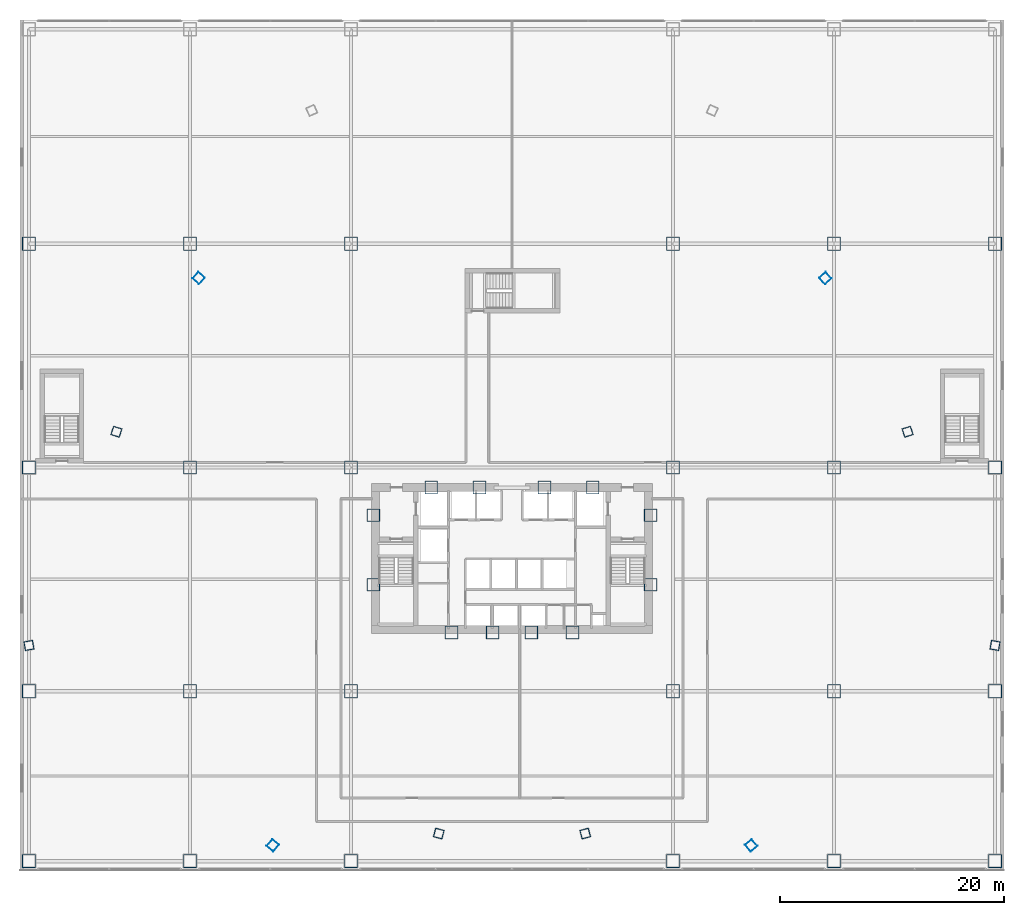
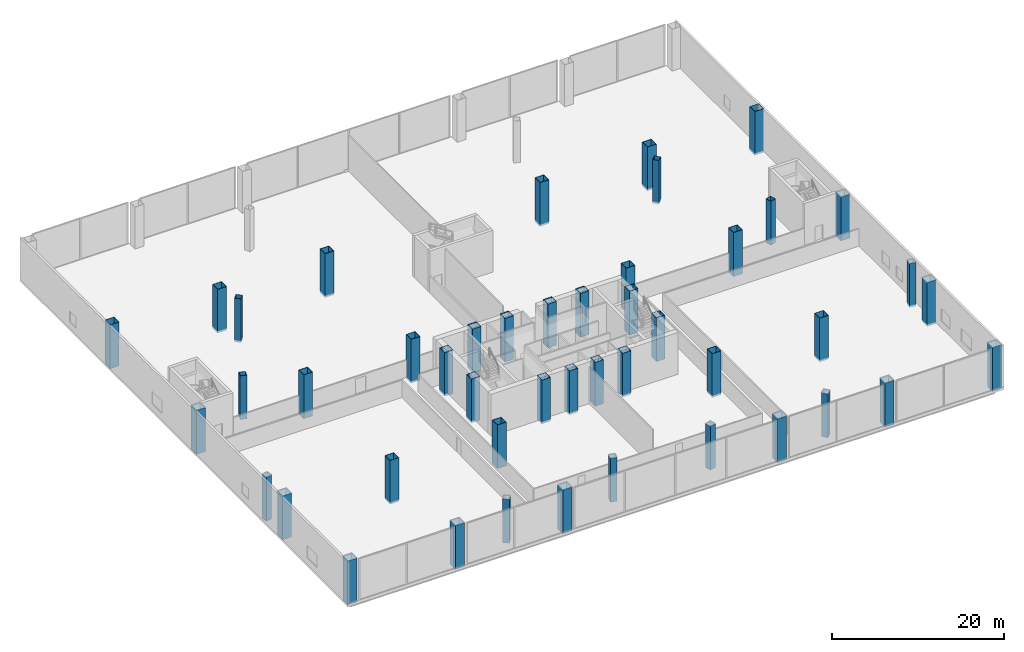
# One storey, part 1 of 41: 46 columns.
"""IFC4 building model written with IfcOpenShell, lengths in metres."""

import ifcopenshell
import ifcopenshell.guid

model = None  # the IFC model being written
_history = None  # IfcOwnerHistory: only IFC2X3 demands one
_inside = {}  # id of a spatial element -> (the spatial element, [elements in it])
_under = {}  # id of a project, library or spatial element -> (it, [spatial elements below it])
_declared = {}  # id of a project -> (the project, [libraries it declares])
_typed = {}  # id of a type object -> (the type object, [elements of that type])
_made_of = {}  # id of a material, layer set ... -> (it, [elements and type objects made of it])


def new_model(schema):
    """Start an empty IFC model of exactly this schema.

    Asked for "IFC4X3", IfcOpenShell would pick the latest addendum, in which some entities
    have other attributes; the version numbers below select the first issue.
    IFC2X3 requires an IfcOwnerHistory on every rooted entity: one is made here for all.
    """
    global model, _history
    if schema == "IFC4X3":
        model = ifcopenshell.file(schema_version=(4, 3, 0, 0))
    else:
        model = ifcopenshell.file(schema=schema)
    _inside.clear()
    _under.clear()
    _declared.clear()
    _typed.clear()
    _made_of.clear()
    _history = None
    if model.schema == "IFC2X3":
        org = make("IfcOrganization", Name="unknown")
        user = make(
            "IfcPersonAndOrganization",
            ThePerson=make("IfcPerson", FamilyName="unknown"),
            TheOrganization=org,
        )
        app = make(
            "IfcApplication",
            ApplicationDeveloper=org,
            Version="unknown",
            ApplicationFullName="unknown",
            ApplicationIdentifier="unknown",
        )
        _history = make(
            "IfcOwnerHistory",
            OwningUser=user,
            OwningApplication=app,
            ChangeAction="ADDED",
            CreationDate=0,
        )
    return model


def make(cls, **values):
    """One entity of the class cls with the attributes given. An attribute that is None is left unset."""
    return model.create_entity(
        cls, **{name: value for name, value in values.items() if value is not None}
    )


def rooted(cls, **values):
    """An entity with a GlobalId (a new one), such as an element, a storey or a relation."""
    return make(cls, GlobalId=ifcopenshell.guid.new(), OwnerHistory=_history, **values)


def si_unit(unit_type, name, prefix=None):
    """IfcSIUnit, for example si_unit("LENGTHUNIT", "METRE", prefix="MILLI")."""
    return make("IfcSIUnit", UnitType=unit_type, Prefix=prefix, Name=name)


def assignment(units):
    """IfcUnitAssignment: the units of a project."""
    return None if units is None else make("IfcUnitAssignment", Units=units)


def point(xyz):
    """IfcCartesianPoint."""
    return None if xyz is None else make("IfcCartesianPoint", Coordinates=xyz)


def direction(xyz):
    """IfcDirection."""
    return None if xyz is None else make("IfcDirection", DirectionRatios=xyz)


def frame(location, z_axis=None, x_axis=None):
    """IfcAxis2Placement3D, a coordinate frame: its origin and axes. An axis left out is left unset."""
    return make(
        "IfcAxis2Placement3D",
        Location=point(location),
        Axis=direction(z_axis),
        RefDirection=direction(x_axis),
    )


def frame_2d(location, x_axis=None):
    """IfcAxis2Placement2D, a coordinate frame in the plane: its origin and x axis."""
    return make(
        "IfcAxis2Placement2D", Location=point(location), RefDirection=direction(x_axis)
    )


def origin():
    """The frame at (0, 0, 0) with its axes left unset."""
    return frame((0.0, 0.0, 0.0))


def origin_2d():
    """The frame at (0, 0) in the plane with its x axis left unset."""
    return frame_2d((0.0, 0.0))


def place(relative_to, where):
    """IfcLocalPlacement: puts the frame where relative to a parent placement (None: the world)."""
    return make(
        "IfcLocalPlacement", PlacementRelTo=relative_to, RelativePlacement=where
    )


def context(
    kind, dimensions, precision=None, world=None, true_north=None, identifier=None
):
    """IfcGeometricRepresentationContext, for example the 3D "Model" context."""
    return make(
        "IfcGeometricRepresentationContext",
        ContextIdentifier=identifier,
        ContextType=kind,
        CoordinateSpaceDimension=dimensions,
        Precision=precision,
        WorldCoordinateSystem=world,
        TrueNorth=true_north,
    )


def subcontext(parent, identifier, kind, view, scale=None):
    """IfcGeometricRepresentationSubContext, for example "Body" below "Model"."""
    return make(
        "IfcGeometricRepresentationSubContext",
        ContextIdentifier=identifier,
        ContextType=kind,
        ParentContext=parent,
        TargetScale=scale,
        TargetView=view,
    )


def project(units=None, contexts=None):
    """IfcProject with its units and contexts."""
    return rooted(
        "IfcProject",
        Name="project",
        RepresentationContexts=contexts,
        UnitsInContext=assignment(units),
    )


def spatial(cls, under=None, at=None, **own):
    """A site, building, storey or space (cls), placed at a placement, below another one or the project."""
    s = rooted(cls, ObjectPlacement=at, **own)
    if under is not None:
        _under.setdefault(under.id(), (under, []))[1].append(s)
    return s


def profile(cls, at=None, kind="AREA", **sizes):
    """A parametric profile (cls). Its sizes go by their IFC names, for example OverallWidth=200.0."""
    return make(cls, ProfileType=kind, Position=at, **sizes)


def hollow_rectangle(**sizes):
    """IfcRectangleHollowProfileDef."""
    return profile("IfcRectangleHollowProfileDef", **sizes)


def extrude(swept, where, along, depth):
    """IfcExtrudedAreaSolid: the profile swept, set in the frame where, extruded along a direction by depth."""
    return make(
        "IfcExtrudedAreaSolid",
        SweptArea=swept,
        Position=where,
        ExtrudedDirection=direction(along),
        Depth=depth,
    )


def shape(context_of_items, identifier, shape_type, items):
    """IfcShapeRepresentation: the items that make up one representation, for example the "Body"."""
    return make(
        "IfcShapeRepresentation",
        ContextOfItems=context_of_items,
        RepresentationIdentifier=identifier,
        RepresentationType=shape_type,
        Items=items,
    )


def source(mapping_origin, context_of_items, identifier, shape_type, items):
    """IfcRepresentationMap: a shape defined once, which mapped items show again and again."""
    return make(
        "IfcRepresentationMap",
        MappingOrigin=mapping_origin,
        MappedRepresentation=shape(context_of_items, identifier, shape_type, items),
    )


def transform(
    local_origin,
    x_axis=None,
    y_axis=None,
    z_axis=None,
    scale=None,
    scale2=None,
    scale3=None,
    uniform=True,
):
    """IfcCartesianTransformationOperator3D, or its non-uniform kind. x_axis, y_axis, z_axis: its Axis1, 2, 3."""
    if uniform:
        return make(
            "IfcCartesianTransformationOperator3D",
            Axis1=direction(x_axis),
            Axis2=direction(y_axis),
            LocalOrigin=point(local_origin),
            Scale=scale,
            Axis3=direction(z_axis),
        )
    return make(
        "IfcCartesianTransformationOperator3DnonUniform",
        Axis1=direction(x_axis),
        Axis2=direction(y_axis),
        LocalOrigin=point(local_origin),
        Scale=scale,
        Axis3=direction(z_axis),
        Scale2=scale2,
        Scale3=scale3,
    )


def mapped(mapping_source, mapping_target):
    """IfcMappedItem: shows the shape of a source again, moved by a transform."""
    return make(
        "IfcMappedItem", MappingSource=mapping_source, MappingTarget=mapping_target
    )


def material(Name=None, Category=None):
    """IfcMaterial."""
    return make("IfcMaterial", Name=Name, Category=Category)


def material_profile(
    of_material, cross_section, Name=None, Category=None, Priority=None
):
    """IfcMaterialProfile: a cross section and its material."""
    return make(
        "IfcMaterialProfile",
        Name=Name,
        Material=of_material,
        Profile=cross_section,
        Priority=Priority,
        Category=Category,
    )


def profile_set(profiles, Name=None, composite=None):
    """IfcMaterialProfileSet."""
    return make(
        "IfcMaterialProfileSet",
        Name=Name,
        MaterialProfiles=profiles,
        CompositeProfile=composite,
    )


def made_of(thing, what):
    """Note that an element or type object is made of a material, layer set ...; save() writes the relation."""
    if what is not None:
        _made_of.setdefault(what.id(), (what, []))[1].append(thing)
    return thing


def type_object(cls, material=None, **own):
    """A type object (cls), such as IfcWallType, which elements share."""
    return made_of(rooted(cls, **own), material)


def element(
    cls,
    number,
    at=None,
    inside=None,
    cuts=None,
    type_object=None,
    material=None,
    context=None,
    identifier="Body",
    shape_type=None,
    held_by="IfcProductDefinitionShape",
    body=None,
    shapes=None,
    **own,
):
    """One element of the class cls, such as IfcWall. Its Tag is "e" and its number.

    at: its placement. inside: the storey or other place that contains it. cuts: it is an
    opening in that element (IfcRelVoidsElement). A single representation is given by context,
    identifier, shape_type and body (its items); several are given by shapes. held_by: the class
    of the entity that holds the representations. save() writes the other relations.
    """
    e = rooted(cls, Tag="e%d" % number, ObjectPlacement=at, **own)
    if body is not None:
        shapes = [shape(context, identifier, shape_type, body)]
    if shapes is not None:
        e.Representation = make(held_by, Representations=shapes)
    if inside is not None:
        _inside.setdefault(inside.id(), (inside, []))[1].append(e)
    if cuts is not None:
        rooted(
            "IfcRelVoidsElement", RelatingBuildingElement=cuts, RelatedOpeningElement=e
        )
    if type_object is not None:
        _typed.setdefault(type_object.id(), (type_object, []))[1].append(e)
    return made_of(e, material)


def aggregate(whole, parts):
    """IfcRelAggregates: a whole, such as a stair, and the parts it consists of."""
    return rooted("IfcRelAggregates", RelatingObject=whole, RelatedObjects=parts)


def save(model, path):
    """Write the relations noted so far, then the file.

    IfcRelAggregates (storeys below a building ...), IfcRelContainedInSpatialStructure (elements
    in a storey), IfcRelDefinesByType, IfcRelAssociatesMaterial and IfcRelDeclares: one each for
    every whole, place, type object, material and project.
    """
    for whole, parts in _under.values():
        aggregate(whole, parts)
    for where, things in _inside.values():
        rooted(
            "IfcRelContainedInSpatialStructure",
            RelatedElements=things,
            RelatingStructure=where,
        )
    for kind, things in _typed.values():
        rooted("IfcRelDefinesByType", RelatedObjects=things, RelatingType=kind)
    for what, things in _made_of.values():
        rooted("IfcRelAssociatesMaterial", RelatedObjects=things, RelatingMaterial=what)
    for by, libraries in _declared.values():
        rooted("IfcRelDeclares", RelatingContext=by, RelatedDefinitions=libraries)
    model.write(path)


model = new_model("IFC4")

# Units and contexts
model_context = context("Model", 3, precision=1e-05, world=origin(), true_north=direction((0.0, 1.0)))
body_context = subcontext(model_context, "Body", "Model", "MODEL_VIEW")
ifc_project = project(units=[si_unit("LENGTHUNIT", "METRE"), si_unit("AREAUNIT", "SQUARE_METRE"), si_unit("VOLUMEUNIT", "CUBIC_METRE"), si_unit("PLANEANGLEUNIT", "RADIAN"), si_unit("MASSUNIT", "GRAM", prefix="KILO"), si_unit("THERMODYNAMICTEMPERATUREUNIT", "KELVIN"), si_unit("POWERUNIT", "WATT")], contexts=[model_context])

# Site, building, storey
site_placement = place(None, origin())
site = spatial("IfcSite", under=ifc_project, at=site_placement, CompositionType="ELEMENT")
building_placement = place(site_placement, origin())
building = spatial("IfcBuilding", under=site, at=building_placement, Name="Yunzhuo Pagoda Commons", CompositionType="ELEMENT")
storey_placement = place(building_placement, frame((0.0, 0.0, 19.199951171875)))
storey = spatial("IfcBuildingStorey", under=building, at=storey_placement, Name="L05", CompositionType="ELEMENT", Elevation=19.199951171875)

# Columns
ifc_material = material(Name="Structural steel Q420B", Category="steel")
ifc_material_profile_1 = material_profile(ifc_material, hollow_rectangle(XDim=1.14990234375, YDim=1.14990234375, WallThickness=0.048095703125, at=origin_2d()), Name="Structural steel Q420B")
ifc_profile_set_1 = profile_set([ifc_material_profile_1], Name="Structural steel Q420B")
column_type_1 = type_object("IfcColumnType", Name="C-COR Column BOX 1150x1150x48", PredefinedType="COLUMN", material=ifc_profile_set_1)
shared_shape_1 = source(origin(), body_context, "Body", "SweptSolid", [
    extrude(hollow_rectangle(XDim=1.14990234375, YDim=1.14990234375, WallThickness=0.048095703125, at=origin_2d()), origin(), (0.0, 0.0, 1.0), 6.2001953125),
])
for number, where, z_axis, x_axis, name in (
    (1, (42.587890625, 27.25, -0.280029296875), (0.0, 0.0, 1.0), (1.0, 0.0, 0.0), "L05 core composite column F1C1"),
    (2, (46.27197265625, 27.25, -0.280029296875), (0.0, 0.0, 1.0), (1.0, 0.0, 0.0), "L05 core composite column F1C2"),
    (3, (49.728515625, 27.25, -0.280029296875), (0.0, 0.0, 1.0), (1.0, 0.0, 0.0), "L05 core composite column F1C3"),
    (4, (53.412109375, 27.25, -0.280029296875), (0.0, 0.0, 1.0), (1.0, 0.0, 0.0), "L05 core composite column F1C4"),
    (5, (60.39990234375, 31.513427734375, -0.280029296875), (0.0, 0.0, 1.0), (1.0, 0.0, 0.0), "L05 core composite column F2C1"),
    (6, (60.39990234375, 37.72900390625, -0.280029296875), (0.0, 0.0, 1.0), (1.0, 0.0, 0.0), "L05 core composite column F2C2"),
    (7, (55.218994140625, 40.199951171875, -0.280029296875), (0.0, 0.0, 1.0), (1.0, 0.0, 0.0), "L05 core composite column F2C3"),
    (8, (50.89404296875, 40.199951171875, -0.280029296875), (0.0, 0.0, 1.0), (1.0, 0.0, 0.0), "L05 core composite column F2C4"),
    (9, (45.10595703125, 40.199951171875, -0.280029296875), (0.0, 0.0, 1.0), (1.0, 0.0, 0.0), "L05 core composite column F3C1"),
    (10, (40.781005859375, 40.199951171875, -0.280029296875), (0.0, 0.0, 1.0), (1.0, 0.0, 0.0), "L05 core composite column F3C2"),
    (11, (35.60009765625, 37.72900390625, -0.280029296875), (0.0, 0.0, 1.0), (1.0, 0.0, 0.0), "L05 core composite column F3C3"),
    (12, (35.60009765625, 31.513427734375, -0.280029296875), (0.0, 0.0, 1.0), (1.0, 0.0, 0.0), "L05 core composite column F3C4"),
):
    element("IfcColumn", number, at=place(storey_placement, frame(where, z_axis=z_axis, x_axis=x_axis)), inside=storey, type_object=column_type_1, Name=name, PredefinedType="COLUMN", context=body_context, shape_type="MappedRepresentation", body=[
        mapped(shared_shape_1, transform((0.0, 0.0, 0.0), scale=1.0)),
    ])
ifc_material_profile_2 = material_profile(ifc_material, hollow_rectangle(XDim=1.199951171875, YDim=1.199951171875, WallThickness=0.050048828125, at=origin_2d()), Name="Structural steel Q420B")
ifc_profile_set_2 = profile_set([ifc_material_profile_2], Name="Structural steel Q420B")
column_type_2 = type_object("IfcColumnType", Name="C-POD Column BOX 1200x1200x50", PredefinedType="COLUMN", material=ifc_profile_set_2)
shared_shape_2 = source(origin(), body_context, "Body", "SweptSolid", [
    extrude(hollow_rectangle(XDim=1.199951171875, YDim=1.199951171875, WallThickness=0.050048828125, at=origin_2d()), origin(), (0.0, 0.0, 1.0), 6.2001953125),
])
for number, where, z_axis, x_axis, name in (
    (13, (4.800048828125, 6.800048828125, -0.280029296875), (0.0, 0.0, 1.0), (1.0, 0.0, 0.0), "L05 podium column P1_1"),
    (14, (4.800048828125, 22.0, -0.280029296875), (0.0, 0.0, 1.0), (1.0, 0.0, 0.0), "L05 podium column P1_2"),
    (15, (4.800048828125, 42.0, -0.280029296875), (0.0, 0.0, 1.0), (1.0, 0.0, 0.0), "L05 podium column P1_3"),
    (16, (4.800048828125, 62.0, -0.280029296875), (0.0, 0.0, 1.0), (1.0, 0.0, 0.0), "L05 podium column P1_4"),
    (17, (19.199951171875, 6.800048828125, -0.280029296875), (0.0, 0.0, 1.0), (1.0, 0.0, 0.0), "L05 podium column P2_1"),
    (18, (19.199951171875, 22.0, -0.280029296875), (0.0, 0.0, 1.0), (1.0, 0.0, 0.0), "L05 podium column P2_2"),
    (19, (19.199951171875, 42.0, -0.280029296875), (0.0, 0.0, 1.0), (1.0, 0.0, 0.0), "L05 podium column P2_3"),
    (20, (19.199951171875, 62.0, -0.280029296875), (0.0, 0.0, 1.0), (1.0, 0.0, 0.0), "L05 podium column P2_4"),
    (21, (33.60009765625, 6.800048828125, -0.280029296875), (0.0, 0.0, 1.0), (1.0, 0.0, 0.0), "L05 podium column P3_1"),
    (22, (33.60009765625, 22.0, -0.280029296875), (0.0, 0.0, 1.0), (1.0, 0.0, 0.0), "L05 podium column P3_2"),
    (23, (33.60009765625, 42.0, -0.280029296875), (0.0, 0.0, 1.0), (1.0, 0.0, 0.0), "L05 podium column P3_3"),
    (24, (33.60009765625, 62.0, -0.280029296875), (0.0, 0.0, 1.0), (1.0, 0.0, 0.0), "L05 podium column P3_4"),
    (25, (62.39990234375, 6.800048828125, -0.280029296875), (0.0, 0.0, 1.0), (1.0, 0.0, 0.0), "L05 podium column P4_1"),
    (26, (62.39990234375, 22.0, -0.280029296875), (0.0, 0.0, 1.0), (1.0, 0.0, 0.0), "L05 podium column P4_2"),
    (27, (62.39990234375, 42.0, -0.280029296875), (0.0, 0.0, 1.0), (1.0, 0.0, 0.0), "L05 podium column P4_3"),
    (28, (62.39990234375, 62.0, -0.280029296875), (0.0, 0.0, 1.0), (1.0, 0.0, 0.0), "L05 podium column P4_4"),
    (29, (76.800048828125, 6.800048828125, -0.280029296875), (0.0, 0.0, 1.0), (1.0, 0.0, 0.0), "L05 podium column P5_1"),
    (30, (76.800048828125, 22.0, -0.280029296875), (0.0, 0.0, 1.0), (1.0, 0.0, 0.0), "L05 podium column P5_2"),
    (31, (76.800048828125, 42.0, -0.280029296875), (0.0, 0.0, 1.0), (1.0, 0.0, 0.0), "L05 podium column P5_3"),
    (32, (76.800048828125, 62.0, -0.280029296875), (0.0, 0.0, 1.0), (1.0, 0.0, 0.0), "L05 podium column P5_4"),
    (33, (91.199951171875, 6.800048828125, -0.280029296875), (0.0, 0.0, 1.0), (1.0, 0.0, 0.0), "L05 podium column P6_1"),
    (34, (91.199951171875, 22.0, -0.280029296875), (0.0, 0.0, 1.0), (1.0, 0.0, 0.0), "L05 podium column P6_2"),
    (35, (91.199951171875, 42.0, -0.280029296875), (0.0, 0.0, 1.0), (1.0, 0.0, 0.0), "L05 podium column P6_3"),
    (36, (91.199951171875, 62.0, -0.280029296875), (0.0, 0.0, 1.0), (1.0, 0.0, 0.0), "L05 podium column P6_4"),
):
    element("IfcColumn", number, at=place(storey_placement, frame(where, z_axis=z_axis, x_axis=x_axis)), inside=storey, type_object=column_type_2, Name=name, PredefinedType="COLUMN", context=body_context, shape_type="MappedRepresentation", body=[
        mapped(shared_shape_2, transform((0.0, 0.0, 0.0), scale=1.0)),
    ])
ifc_material_profile_3 = material_profile(ifc_material, hollow_rectangle(XDim=0.800048828125, YDim=0.800048828125, WallThickness=0.031982421875, at=origin_2d()), Name="Structural steel Q420B")
ifc_profile_set_3 = profile_set([ifc_material_profile_3], Name="Structural steel Q420B")
column_type_3 = type_object("IfcColumnType", Name="C-BUT Column BOX 800x800x32", PredefinedType="COLUMN", material=ifc_profile_set_3)
shared_shape_3 = source(origin(), body_context, "Body", "SweptSolid", [
    extrude(hollow_rectangle(XDim=0.800048828125, YDim=0.800048828125, WallThickness=0.031982421875, at=origin_2d()), origin(), (0.0, 0.0, 1.0), 6.2001953125),
])
for number, where, z_axis, x_axis, name in (
    (37, (26.60302734375, 8.199951171875, -0.280029296875), (0.0, 0.0, 1.0), (0.766044443119, -0.642787609687, 0.0), "L05 podium transfer support column PR_F1C1"),
    (38, (41.45166015625, 9.260986328125, -0.280029296875), (0.0, 0.0, 1.0), (0.965925826289, -0.258819045103, 0.0), "L05 podium transfer support column PR_F1C2"),
    (39, (54.54833984375, 9.260986328125, -0.280029296875), (0.0, 0.0, 1.0), (0.965925826289, 0.258819045103, 0.0), "L05 podium transfer support column PR_F1C3"),
    (40, (69.39697265625, 8.199951171875, -0.280029296875), (0.0, 0.0, 1.0), (0.766044443119, 0.642787609687, 0.0), "L05 podium transfer support column PR_F1C4"),
    (41, (91.198974609375, 26.0830078125, -0.280029296875), (0.0, 0.0, 1.0), (0.173648177667, 0.984807753012, 0.0), "L05 podium transfer support column PR_F2C1"),
    (42, (83.37890625, 45.195556640625, -0.280029296875), (0.0, 0.0, 1.0), (-0.309016994375, 0.951056516295, 0.0), "L05 podium transfer support column PR_F2C2"),
    (43, (76.027099609375, 58.935302734375, -0.280029296875), (0.0, 0.0, 1.0), (-0.669130606359, 0.743144825477, 0.0), "L05 podium transfer support column PR_F2C3"),
    (44, (19.973388671875, 58.935302734375, -0.280029296875), (0.0, 0.0, 1.0), (-0.669130606359, -0.743144825477, 0.0), "L05 podium transfer support column PR_F3C2"),
    (45, (12.62109375, 45.195556640625, -0.280029296875), (0.0, 0.0, 1.0), (-0.309016994375, -0.951056516295, 0.0), "L05 podium transfer support column PR_F3C3"),
    (46, (4.801025390625, 26.0830078125, -0.280029296875), (0.0, 0.0, 1.0), (0.173648177667, -0.984807753012, 0.0), "L05 podium transfer support column PR_F3C4"),
):
    element("IfcColumn", number, at=place(storey_placement, frame(where, z_axis=z_axis, x_axis=x_axis)), inside=storey, type_object=column_type_3, Name=name, PredefinedType="COLUMN", context=body_context, shape_type="MappedRepresentation", body=[
        mapped(shared_shape_3, transform((0.0, 0.0, 0.0), scale=1.0)),
    ])

save(model, "model.ifc")
